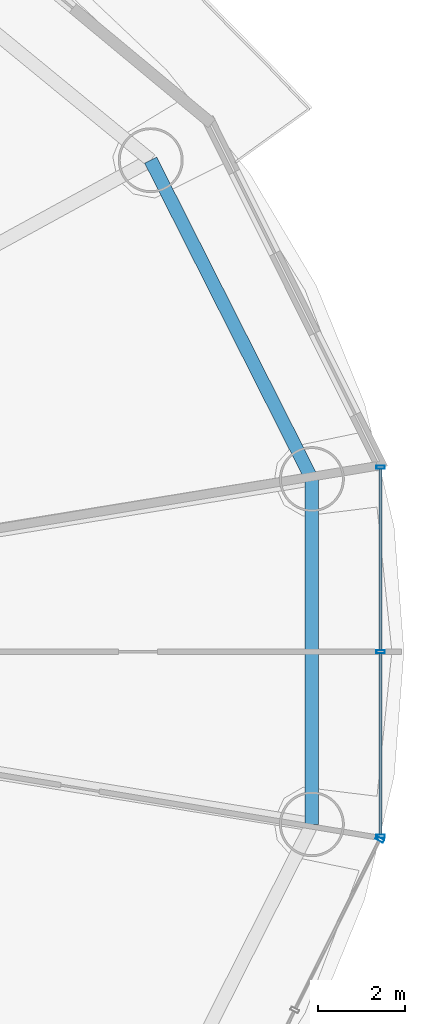
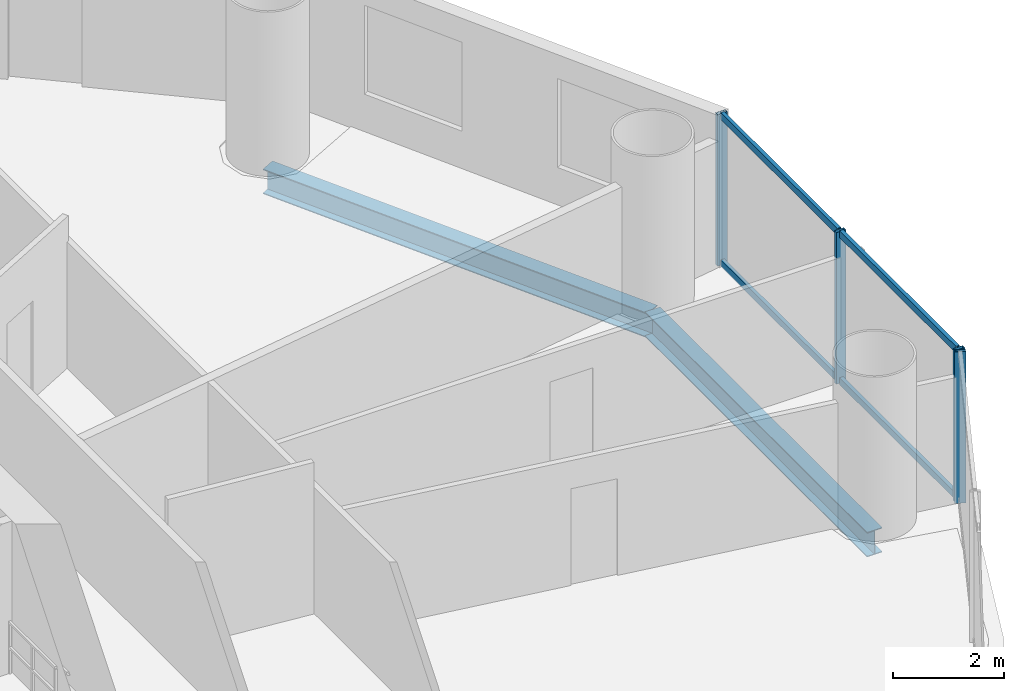
# One storey, part 15 of 29: 8 members, 2 beams, 2 elements without a shape of their own.
"""IFC4 building model written with IfcOpenShell, lengths in metres."""

from ifc_helpers import new_model, si_unit, direction, frame, origin, origin_2d, place, context, subcontext, project, spatial, hollow_rectangle, i_section, extrude, source, transform, mapped, material, material_profile, profile_set, type_object, element, aggregate, save


model = new_model("IFC4")

# Units and contexts
model_context = context("Model", 3, precision=1e-05, world=origin(), true_north=direction((-0.2419218956, 0.970295726276)))
body_context = subcontext(model_context, "Body", "Model", "MODEL_VIEW")
ifc_project = project(units=[si_unit("LENGTHUNIT", "METRE"), si_unit("AREAUNIT", "SQUARE_METRE"), si_unit("VOLUMEUNIT", "CUBIC_METRE"), si_unit("PLANEANGLEUNIT", "RADIAN"), si_unit("MASSUNIT", "GRAM", prefix="KILO")], contexts=[model_context])

# Site, building, storey
site_placement = place(None, origin())
site = spatial("IfcSite", under=ifc_project, at=site_placement, CompositionType="ELEMENT")
building_placement = place(site_placement, origin())
building = spatial("IfcBuilding", under=site, at=building_placement, Name="Cobrevalo Terracotta Tower", CompositionType="ELEMENT")
storey_placement = place(building_placement, frame((0.0, 0.0, 123.0)))
storey = spatial("IfcBuildingStorey", under=building, at=storey_placement, Name="L32", CompositionType="ELEMENT", Elevation=123.0)

# Beams
ifc_material_1 = material(Name="Steel S355", Category="steel")
ifc_material_profile_1 = material_profile(ifc_material_1, i_section(OverallWidth=0.31201171875, OverallDepth=0.54296875, WebThickness=0.0126953125, FlangeThickness=0.020263671875, at=origin_2d()), Name="W 530x150")
ifc_profile_set_1 = profile_set([ifc_material_profile_1], Name="Steel S355")
beam_type = type_object("IfcBeamType", Name="Structural Spandrel W 530x150 (Steel S355)", PredefinedType="SPANDREL", material=ifc_profile_set_1)
beam_1_placement = place(storey_placement, frame((62.470703125, 30.78955078125, -0.54638671875), z_axis=(-0.451051982172, 0.892497680321, 0.0), x_axis=(-0.892497680321, -0.451051982172, 0.0)))
element("IfcBeam", 1, at=beam_1_placement, inside=storey, type_object=beam_type, Name="L32 perimeter ring spandrel 01", PredefinedType="SPANDREL", context=body_context, shape_type="SweptSolid", body=[
    extrude(i_section(OverallWidth=0.31201171875, OverallDepth=0.54296875, WebThickness=0.0126953125, FlangeThickness=0.020263671875, at=origin_2d()), origin(), (0.0, 0.0, 1.0), 8.259765625),
])
beam_2_placement = place(storey_placement, frame((62.470703125, 22.810302734375, -0.54638671875), z_axis=(0.0, 1.0, 0.0), x_axis=(-1.0, 0.0, 0.0)))
element("IfcBeam", 2, at=beam_2_placement, inside=storey, type_object=beam_type, Name="L32 perimeter ring spandrel 16", PredefinedType="SPANDREL", context=body_context, shape_type="SweptSolid", body=[
    extrude(i_section(OverallWidth=0.31201171875, OverallDepth=0.54296875, WebThickness=0.0126953125, FlangeThickness=0.020263671875, at=origin_2d()), origin(), (0.0, 0.0, 1.0), 7.979248046875),
])

# Curtain wall, members
ifc_material_2 = material(Name="Anodized aluminium", Category="aluminium")
curtain_wall_type = type_object("IfcCurtainWallType", Name="Lower-tower unitised acoustic low-E curtain wall CW-U1", PredefinedType="NOTDEFINED", material=ifc_material_2)
curtain_wall_1_placement = place(storey_placement, origin())
curtain_wall_1 = element("IfcCurtainWall", 3, at=curtain_wall_1_placement, inside=storey, type_object=curtain_wall_type, Name="L32 curtain wall CW-L32-S16", PredefinedType="NOTDEFINED")
ifc_material_profile_2 = material_profile(ifc_material_2, hollow_rectangle(XDim=0.074951171875, YDim=0.14990234375, WallThickness=0.00439453125, at=origin_2d()), Name="CWT 75x150")
ifc_profile_set_2 = profile_set([ifc_material_profile_2], Name="Anodized aluminium")
member_type_1 = type_object("IfcMemberType", Name="Tower unitised aluminium transom 75x150", PredefinedType="USERDEFINED", material=ifc_profile_set_2)
shared_shape_1 = source(origin(), body_context, "Body", "SweptSolid", [
    extrude(hollow_rectangle(XDim=0.074951171875, YDim=0.14990234375, WallThickness=0.00439453125, at=origin_2d()), origin(), (0.0, 0.0, 1.0), 4.185546875),
])
member_1_placement = place(storey_placement, frame((64.0595703125, 22.574462890625, 0.050048828125), z_axis=(0.0, 1.0, 0.0), x_axis=(-1.0, 0.0, 0.0)))
member_1 = element("IfcMember", 4, at=member_1_placement, type_object=member_type_1, Name="CW-L32-S16 transom B01-T1", ObjectType="TRANSOM", PredefinedType="USERDEFINED", context=body_context, shape_type="MappedRepresentation", body=[
    mapped(shared_shape_1, transform((0.0, 0.0, 0.0), scale=1.0)),
])
member_2_placement = place(storey_placement, frame((64.0595703125, 22.574462890625, 3.27490234375), z_axis=(0.0, 1.0, 0.0), x_axis=(-1.0, 0.0, 0.0)))
member_2 = element("IfcMember", 5, at=member_2_placement, type_object=member_type_1, Name="CW-L32-S16 transom B01-T2", ObjectType="TRANSOM", PredefinedType="USERDEFINED", context=body_context, shape_type="MappedRepresentation", body=[
    mapped(shared_shape_1, transform((0.0, 0.0, 0.0), scale=1.0)),
])
member_3_placement = place(storey_placement, frame((64.0595703125, 26.840087890625, 0.050048828125), z_axis=(0.0, 1.0, 0.0), x_axis=(-1.0, 0.0, 0.0)))
member_3 = element("IfcMember", 6, at=member_3_placement, type_object=member_type_1, Name="CW-L32-S16 transom B02-T1", ObjectType="TRANSOM", PredefinedType="USERDEFINED", context=body_context, shape_type="MappedRepresentation", body=[
    mapped(shared_shape_1, transform((0.0, 0.0, 0.0), scale=1.0)),
])
member_4_placement = place(storey_placement, frame((64.0595703125, 26.840087890625, 3.27490234375), z_axis=(0.0, 1.0, 0.0), x_axis=(-1.0, 0.0, 0.0)))
member_4 = element("IfcMember", 7, at=member_4_placement, type_object=member_type_1, Name="CW-L32-S16 transom B02-T2", ObjectType="TRANSOM", PredefinedType="USERDEFINED", context=body_context, shape_type="MappedRepresentation", body=[
    mapped(shared_shape_1, transform((0.0, 0.0, 0.0), scale=1.0)),
])

# Curtain wall, member
curtain_wall_2_placement = place(storey_placement, origin())
curtain_wall_2 = element("IfcCurtainWall", 8, at=curtain_wall_2_placement, inside=storey, type_object=curtain_wall_type, Name="L32 curtain wall CW-L32-S15", PredefinedType="NOTDEFINED")
ifc_material_profile_3 = material_profile(ifc_material_2, hollow_rectangle(XDim=0.074951171875, YDim=0.199951171875, WallThickness=0.0048828125, at=origin_2d()), Name="CWM 75x200")
ifc_profile_set_3 = profile_set([ifc_material_profile_3], Name="Anodized aluminium")
member_type_2 = type_object("IfcMemberType", Name="Lower/mid tower unitised mullion 75x200", PredefinedType="MULLION", material=ifc_profile_set_3)
shared_shape_2 = source(origin(), body_context, "Body", "SweptSolid", [
    extrude(hollow_rectangle(XDim=0.074951171875, YDim=0.199951171875, WallThickness=0.0048828125, at=origin_2d()), origin(), (0.0, 0.0, 1.0), 3.324951171875),
])
member_5_placement = place(storey_placement, frame((64.04150390625, 22.45849609375, 0.0), z_axis=(0.0, 0.0, 1.0), x_axis=(0.446260290227, 0.894903208937, 0.0)))
member_5 = element("IfcMember", 9, at=member_5_placement, type_object=member_type_2, Name="CW-L32-S15 vertical mullion 03", PredefinedType="MULLION", context=body_context, shape_type="MappedRepresentation", body=[
    mapped(shared_shape_2, transform((0.0, 0.0, 0.0), scale=1.0)),
])
aggregate(curtain_wall_2, [member_5])

# Member
member_6_placement = place(storey_placement, frame((64.0595703125, 22.534423828125, 0.0), z_axis=(0.0, 0.0, 1.0), x_axis=(0.0, 1.0, 0.0)))
member_6 = element("IfcMember", 10, at=member_6_placement, type_object=member_type_2, Name="CW-L32-S16 vertical mullion 01", PredefinedType="MULLION", context=body_context, shape_type="MappedRepresentation", body=[
    mapped(shared_shape_2, transform((0.0, 0.0, 0.0), scale=1.0)),
])

member_7_placement = place(storey_placement, frame((64.0595703125, 26.800048828125, 0.0), z_axis=(0.0, 0.0, 1.0), x_axis=(0.0, 1.0, 0.0)))
member_7 = element("IfcMember", 11, at=member_7_placement, type_object=member_type_2, Name="CW-L32-S16 vertical mullion 02", PredefinedType="MULLION", context=body_context, shape_type="MappedRepresentation", body=[
    mapped(shared_shape_2, transform((0.0, 0.0, 0.0), scale=1.0)),
])

member_8_placement = place(storey_placement, frame((64.0595703125, 31.065673828125, 0.0), z_axis=(0.0, 0.0, 1.0), x_axis=(0.0, 1.0, 0.0)))
member_8 = element("IfcMember", 12, at=member_8_placement, type_object=member_type_2, Name="CW-L32-S16 vertical mullion 03", PredefinedType="MULLION", context=body_context, shape_type="MappedRepresentation", body=[
    mapped(shared_shape_2, transform((0.0, 0.0, 0.0), scale=1.0)),
])

aggregate(curtain_wall_1, [member_6, member_7, member_8, member_1, member_2, member_3, member_4])

save(model, "model.ifc")
